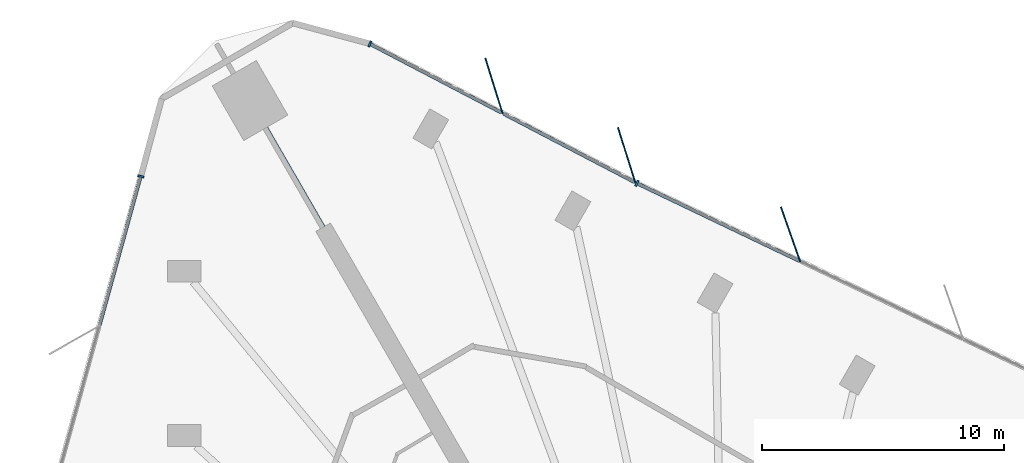
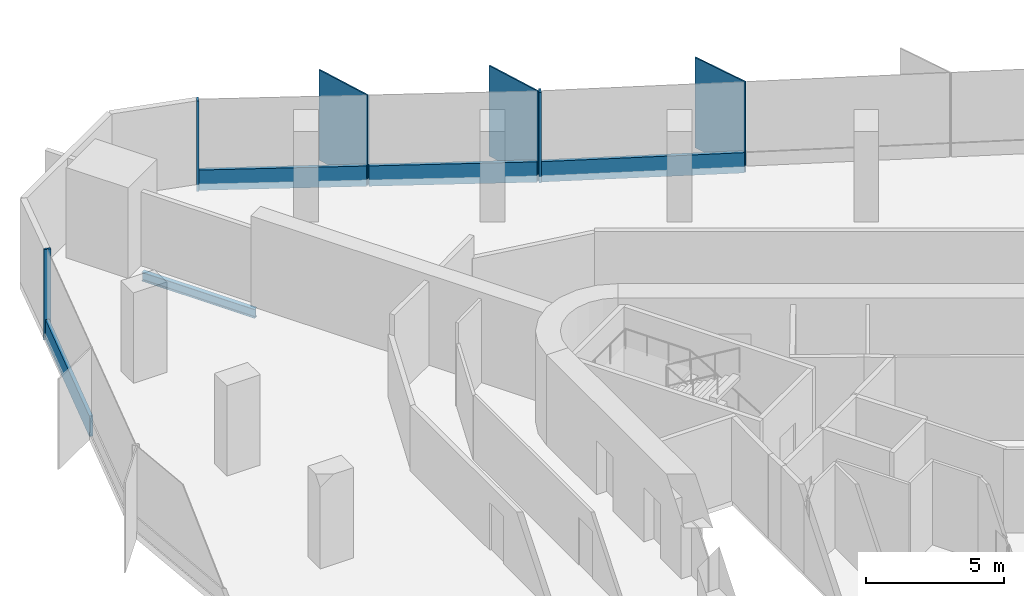
# One storey, part 6 of 13: 10 members, 1 beam, 3 elements without a shape of their own.
"""IFC4 building model written with IfcOpenShell, lengths in metres."""

from ifc_helpers import new_model, si_unit, direction, frame, origin, origin_2d, place, context, subcontext, project, spatial, rectangle, i_section, extrude, material, material_profile, profile_set, type_object, element, aggregate, save


model = new_model("IFC4")

# Units and contexts
model_context = context("Model", 3, precision=1e-05, world=origin(), true_north=direction((0.0, 1.0)))
body_context = subcontext(model_context, "Body", "Model", "MODEL_VIEW")
ifc_project = project(units=[si_unit("LENGTHUNIT", "METRE"), si_unit("AREAUNIT", "SQUARE_METRE"), si_unit("VOLUMEUNIT", "CUBIC_METRE"), si_unit("PLANEANGLEUNIT", "RADIAN"), si_unit("MASSUNIT", "GRAM", prefix="KILO")], contexts=[model_context])

# Site, building, storey
site_placement = place(None, origin())
site = spatial("IfcSite", under=ifc_project, at=site_placement, CompositionType="ELEMENT")
building_placement = place(site_placement, origin())
building = spatial("IfcBuilding", under=site, at=building_placement, Name="Tanit Gate Tower", CompositionType="ELEMENT")
storey_placement = place(building_placement, frame((0.0, 0.0, 189.199951171875)))
storey = spatial("IfcBuildingStorey", under=building, at=storey_placement, Name="L41", CompositionType="ELEMENT", Elevation=189.199951171875)

# Curtain wall, member
ifc_material_1 = material(Name="Aluminium bronze anodised and glass", Category="aluminium")
curtain_wall_type = type_object("IfcCurtainWallType", Name="Curtain wall typical mid", PredefinedType="NOTDEFINED", material=ifc_material_1)
curtain_wall_1_placement = place(storey_placement, origin())
curtain_wall_1 = element("IfcCurtainWall", 1, at=curtain_wall_1_placement, inside=storey, type_object=curtain_wall_type, Name="Curtain wall L41 NE2", PredefinedType="NOTDEFINED")
ifc_material_2 = material(Name="Aluminium bronze anodised", Category="aluminium")
ifc_material_profile_1 = material_profile(ifc_material_2, rectangle(XDim=2.39990234375, YDim=0.055908203125, at=origin_2d()), Name="56x2400 bronze fin mullion")
ifc_profile_set_1 = profile_set([ifc_material_profile_1], Name="Aluminium bronze anodised")
member_type_1 = type_object("IfcMemberType", Name="FIN MULLION 56x2400 bronze", PredefinedType="MULLION", material=ifc_profile_set_1)
member_1_placement = place(storey_placement, frame((2.5966796875, 28.60400390625, -0.300048828125), z_axis=(0.0, 0.0, 1.0), x_axis=(0.333090099539, -0.94289500242, 0.0)))
member_1 = element("IfcMember", 2, at=member_1_placement, type_object=member_type_1, Name="Fin mullion L41 NE2.5", PredefinedType="MULLION", context=body_context, shape_type="SweptSolid", body=[
    extrude(rectangle(XDim=2.39990234375, YDim=0.055908203125, at=origin_2d()), origin(), (0.0, 0.0, 1.0), 4.0),
])

# Curtain wall, members
curtain_wall_2_placement = place(storey_placement, origin())
curtain_wall_2 = element("IfcCurtainWall", 3, at=curtain_wall_2_placement, inside=storey, type_object=curtain_wall_type, Name="Curtain wall L41 NE3", PredefinedType="NOTDEFINED")
member_2_placement = place(storey_placement, frame((-4.16552734375, 31.869384765625, -0.300048828125), z_axis=(0.0, 0.0, 1.0), x_axis=(0.299452427004, -0.954111232489, 0.0)))
member_2 = element("IfcMember", 4, at=member_2_placement, type_object=member_type_1, Name="Fin mullion L41 NE3.1", PredefinedType="MULLION", context=body_context, shape_type="SweptSolid", body=[
    extrude(rectangle(XDim=2.39990234375, YDim=0.055908203125, at=origin_2d()), origin(), (0.0, 0.0, 1.0), 4.0),
])
member_3_placement = place(storey_placement, frame((-9.63818359375, 34.727294921875, -0.300048828125), z_axis=(0.0, 0.0, 1.0), x_axis=(0.299452427004, -0.954111232489, 0.0)))
member_3 = element("IfcMember", 5, at=member_3_placement, type_object=member_type_1, Name="Fin mullion L41 NE3.2", PredefinedType="MULLION", context=body_context, shape_type="SweptSolid", body=[
    extrude(rectangle(XDim=2.39990234375, YDim=0.055908203125, at=origin_2d()), origin(), (0.0, 0.0, 1.0), 4.0),
])

# Member
ifc_material_3 = material(Name="Aluminium bronze anodised", Category="aluminium")
ifc_material_profile_2 = material_profile(ifc_material_3, rectangle(XDim=0.260009765625, YDim=0.080078125, at=origin_2d()), Name="80x260 bronze mullion")
ifc_profile_set_2 = profile_set([ifc_material_profile_2], Name="Aluminium bronze anodised")
member_type_2 = type_object("IfcMemberType", Name="Mullion 80x260 typical mid", PredefinedType="MULLION", material=ifc_profile_set_2)
member_4_placement = place(storey_placement, frame((-3.740966796875, 30.708984375, -0.300048828125), z_axis=(0.0, 0.0, 1.0), x_axis=(-0.431197182029, -0.902257718288, 0.0)))
member_4 = element("IfcMember", 6, at=member_4_placement, type_object=member_type_2, Name="Mullion L41 NE2.6", PredefinedType="MULLION", context=body_context, shape_type="SweptSolid", body=[
    extrude(rectangle(XDim=0.260009765625, YDim=0.080078125, at=origin_2d()), origin(), (0.0, 0.0, 1.0), 4.0),
])

member_5_placement = place(storey_placement, frame((-14.757568359375, 36.460693359375, -0.300048828125), z_axis=(0.0, 0.0, 1.0), x_axis=(-0.462913680722, -0.886403364276, 0.0)))
member_5 = element("IfcMember", 7, at=member_5_placement, type_object=member_type_2, Name="Mullion L41 NE3.3", PredefinedType="MULLION", context=body_context, shape_type="SweptSolid", body=[
    extrude(rectangle(XDim=0.260009765625, YDim=0.080078125, at=origin_2d()), origin(), (0.0, 0.0, 1.0), 4.0),
])

# Curtain wall, member
curtain_wall_3_placement = place(storey_placement, origin())
curtain_wall_3 = element("IfcCurtainWall", 8, at=curtain_wall_3_placement, inside=storey, type_object=curtain_wall_type, Name="Curtain wall L41 W1", PredefinedType="NOTDEFINED")
member_6_placement = place(storey_placement, frame((-24.20947265625, 30.9990234375, -0.300048828125), z_axis=(0.0, 0.0, 1.0), x_axis=(0.963920221871, -0.266191295627, 0.0)))
member_6 = element("IfcMember", 9, at=member_6_placement, type_object=member_type_2, Name="Mullion L41 W1.1", PredefinedType="MULLION", context=body_context, shape_type="SweptSolid", body=[
    extrude(rectangle(XDim=0.260009765625, YDim=0.080078125, at=origin_2d()), origin(), (0.0, 0.0, 1.0), 4.0),
])

# Beam
ifc_material_4 = material(Name="Steel S355", Category="steel")
ifc_material_profile_3 = material_profile(ifc_material_4, i_section(OverallWidth=0.179931640625, OverallDepth=0.39990234375, WebThickness=0.008544921875, FlangeThickness=0.013427734375, FilletRadius=0.02099609375, at=origin_2d()), Name="IPE 400")
ifc_profile_set_3 = profile_set([ifc_material_profile_3], Name="Steel S355")
beam_type = type_object("IfcBeamType", Name="RADIAL GIRDER IPE 400 S355", PredefinedType="BEAM", material=ifc_profile_set_3)
beam_placement = place(storey_placement, frame((-19.05126953125, 32.997802734375, -0.5), z_axis=(0.49999482868, -0.866028389427, 0.0), x_axis=(0.866028389427, 0.49999482868, 0.0)))
element("IfcBeam", 10, at=beam_placement, inside=storey, type_object=beam_type, Name="RADIAL GIRDER", PredefinedType="BEAM", context=body_context, shape_type="SweptSolid", body=[
    extrude(i_section(OverallWidth=0.179931640625, OverallDepth=0.39990234375, WebThickness=0.008544921875, FlangeThickness=0.013427734375, FilletRadius=0.02099609375, at=origin_2d()), origin(), (0.0, 0.0, 1.0), 4.73291015625),
])

# Member
ifc_material_5 = material(Name="Aluminium bronze anodised", Category="aluminium")
ifc_material_profile_4 = material_profile(ifc_material_5, rectangle(XDim=0.139892578125, YDim=0.89990234375, at=origin_2d()), Name="140x900 bronze transom")
ifc_profile_set_4 = profile_set([ifc_material_profile_4], Name="Aluminium bronze anodised")
member_type_3 = type_object("IfcMemberType", Name="Transom 140x900 typical mid", PredefinedType="USERDEFINED", material=ifc_profile_set_4)
member_7_placement = place(storey_placement, frame((2.953125, 27.509765625, 0.150146484375), z_axis=(-0.902258481648, 0.431195584735, 0.0), x_axis=(-0.431195584735, -0.902258481648, 0.0)))
member_7 = element("IfcMember", 11, at=member_7_placement, type_object=member_type_3, Name="Transom L41 NE2.5", ObjectType="TRANSOM", PredefinedType="USERDEFINED", context=body_context, shape_type="SweptSolid", body=[
    extrude(rectangle(XDim=0.139892578125, YDim=0.89990234375, at=origin_2d()), origin(), (0.0, 0.0, 1.0), 7.379150390625),
])

aggregate(curtain_wall_1, [member_1, member_4, member_7])

member_8_placement = place(storey_placement, frame((-3.84814453125, 30.76318359375, 0.150146484375), z_axis=(-0.886386883346, 0.462945237618, 0.0), x_axis=(-0.462945237618, -0.886386883346, 0.0)))
member_8 = element("IfcMember", 12, at=member_8_placement, type_object=member_type_3, Name="Transom L41 NE3.1", ObjectType="TRANSOM", PredefinedType="USERDEFINED", context=body_context, shape_type="SweptSolid", body=[
    extrude(rectangle(XDim=0.139892578125, YDim=0.89990234375, at=origin_2d()), origin(), (0.0, 0.0, 1.0), 6.09375),
])

member_9_placement = place(storey_placement, frame((-9.320556640625, 33.62109375, 0.150146484375), z_axis=(-0.886395469442, 0.462928797713, 0.0), x_axis=(-0.462928797713, -0.886395469442, 0.0)))
member_9 = element("IfcMember", 13, at=member_9_placement, type_object=member_type_3, Name="Transom L41 NE3.2", ObjectType="TRANSOM", PredefinedType="USERDEFINED", context=body_context, shape_type="SweptSolid", body=[
    extrude(rectangle(XDim=0.139892578125, YDim=0.89990234375, at=origin_2d()), origin(), (0.0, 0.0, 1.0), 6.093994140625),
])

aggregate(curtain_wall_2, [member_2, member_3, member_5, member_8, member_9])

member_10_placement = place(storey_placement, frame((-24.22021484375, 30.96044921875, 0.150146484375), z_axis=(-0.266164324835, -0.963927669582, 0.0), x_axis=(0.963927669582, -0.266164324835, 0.0)))
member_10 = element("IfcMember", 14, at=member_10_placement, type_object=member_type_3, Name="Transom L41 W1.1", ObjectType="TRANSOM", PredefinedType="USERDEFINED", context=body_context, shape_type="SweptSolid", body=[
    extrude(rectangle(XDim=0.139892578125, YDim=0.89990234375, at=origin_2d()), origin(), (0.0, 0.0, 1.0), 6.316162109375),
])

aggregate(curtain_wall_3, [member_6, member_10])

save(model, "model.ifc")
